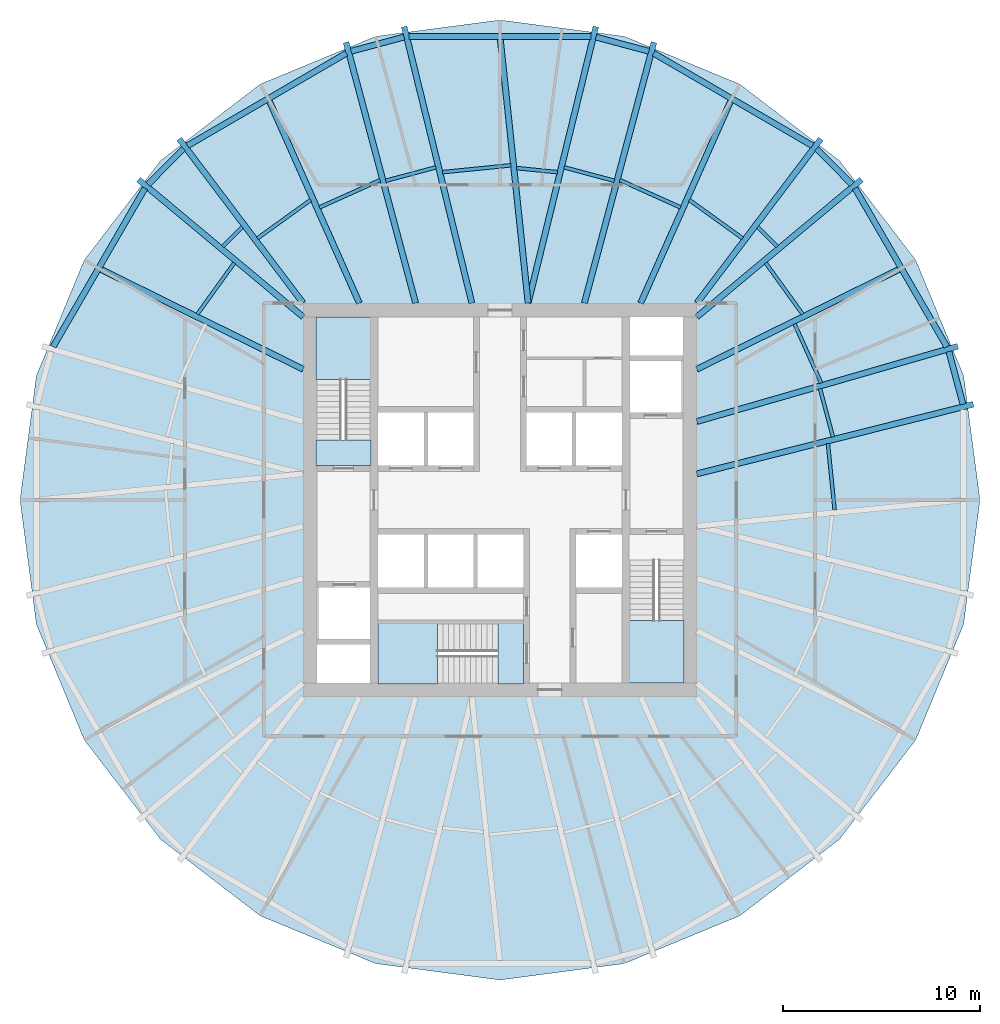
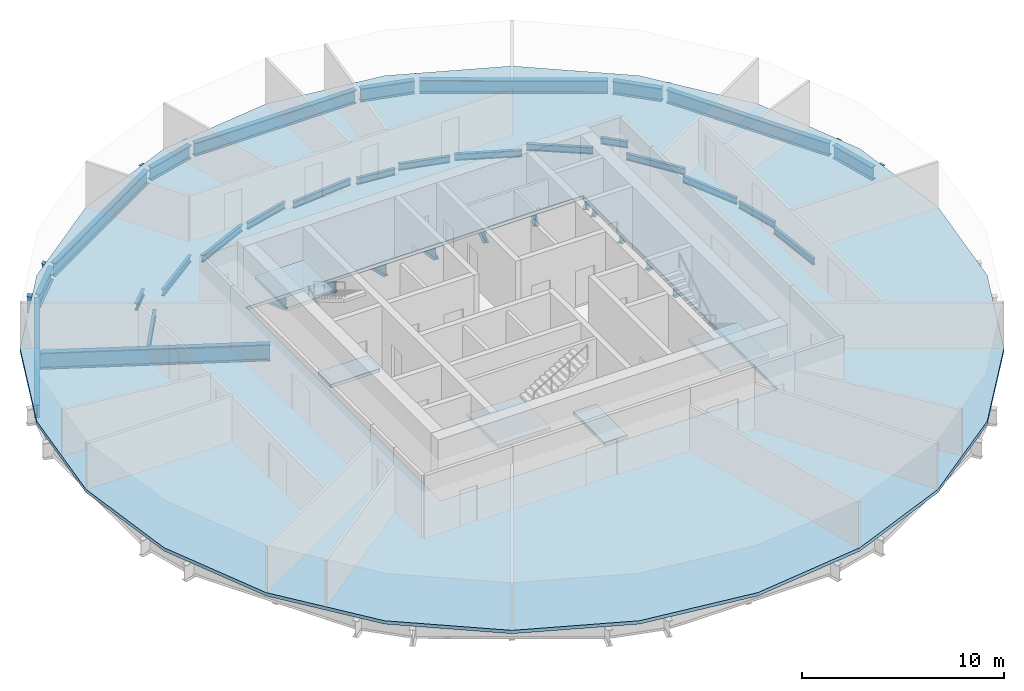
# One storey, part 2 of 6: 40 beams, 6 slabs, 3 elements without a shape of their own.
"""IFC4 building model written with IfcOpenShell, lengths in metres."""

from ifc_helpers import new_model, si_unit, direction, frame, origin, origin_2d, place, context, subcontext, project, spatial, polyline, i_section, outline, extrude, material, layer, layer_set, material_profile, profile_set, type_object, element, aggregate, save


model = new_model("IFC4")

# Units and contexts
model_context = context("Model", 3, precision=1e-05, world=origin(), true_north=direction((0.0, 1.0)))
body_context = subcontext(model_context, "Body", "Model", "MODEL_VIEW")
ifc_project = project(units=[si_unit("LENGTHUNIT", "METRE"), si_unit("AREAUNIT", "SQUARE_METRE"), si_unit("VOLUMEUNIT", "CUBIC_METRE"), si_unit("PLANEANGLEUNIT", "RADIAN"), si_unit("MASSUNIT", "GRAM", prefix="KILO")], contexts=[model_context])

# Site, building, storey
site_placement = place(None, origin())
site = spatial("IfcSite", under=ifc_project, at=site_placement, CompositionType="ELEMENT")
building_placement = place(site_placement, origin())
building = spatial("IfcBuilding", under=site, at=building_placement, Name="Golbaran Civic Tower", CompositionType="ELEMENT")
storey_placement = place(building_placement, frame((0.0, 0.0, 98.0)))
storey = spatial("IfcBuildingStorey", under=building, at=storey_placement, Name="L23", CompositionType="ELEMENT", Elevation=98.0)

# Beams
ifc_material_1 = material(Name="Steel S355", Category="steel")
ifc_material_profile_1 = material_profile(ifc_material_1, i_section(OverallWidth=0.300048828125, OverallDepth=0.800048828125, WebThickness=0.017578125, FlangeThickness=0.032958984375, FilletRadius=0.030029296875, at=origin_2d()), Name="HEB 800")
ifc_profile_set_1 = profile_set([ifc_material_profile_1], Name="Steel S355")
beam_type_1 = type_object("IfcBeamType", Name="EDGE BEAM HEB 800", PredefinedType="BEAM", material=ifc_profile_set_1)
beam_1_placement = place(storey_placement, frame((23.51611328125, 4.864501953125, -0.60009765625), z_axis=(-0.258775722197, 0.965937433585, 0.0), x_axis=(-0.965937433585, -0.258775722197, 0.0)))
element("IfcBeam", 1, at=beam_1_placement, inside=storey, type_object=beam_type_1, Name="Edge beam 11.51 L23", PredefinedType="BEAM", context=body_context, shape_type="SweptSolid", body=[
    extrude(i_section(OverallWidth=0.300048828125, OverallDepth=0.800048828125, WebThickness=0.017578125, FlangeThickness=0.032958984375, FilletRadius=0.030029296875, at=origin_2d()), origin(), (0.0, 0.0, 1.0), 2.77099609375),
])
beam_2_placement = place(storey_placement, frame((22.6982421875, 7.782470703125, -0.60009765625), z_axis=(-0.501480043185, 0.865169212517, 0.0), x_axis=(-0.865169212517, -0.501480043185, 0.0)))
element("IfcBeam", 2, at=beam_2_placement, inside=storey, type_object=beam_type_1, Name="Edge beam 18.49 L23", PredefinedType="BEAM", context=body_context, shape_type="SweptSolid", body=[
    extrude(i_section(OverallWidth=0.300048828125, OverallDepth=0.800048828125, WebThickness=0.017578125, FlangeThickness=0.032958984375, FilletRadius=0.030029296875, at=origin_2d()), origin(), (0.0, 0.0, 1.0), 9.302001953125),
])
beam_3_placement = place(storey_placement, frame((17.875, 16.036865234375, -0.60009765625), z_axis=(-0.706290067305, 0.707922552845, 0.0), x_axis=(-0.707922552845, -0.706290067305, 0.0)))
element("IfcBeam", 3, at=beam_3_placement, inside=storey, type_object=beam_type_1, Name="Edge beam 41.51 L23", PredefinedType="BEAM", context=body_context, shape_type="SweptSolid", body=[
    extrude(i_section(OverallWidth=0.300048828125, OverallDepth=0.800048828125, WebThickness=0.017578125, FlangeThickness=0.032958984375, FilletRadius=0.030029296875, at=origin_2d()), origin(), (0.0, 0.0, 1.0), 2.54248046875),
])
beam_4_placement = place(storey_placement, frame((15.87353515625, 17.995361328125, -0.60009765625), z_axis=(-0.864324773313, 0.502934077427, 0.0), x_axis=(-0.502934077427, -0.864324773313, 0.0)))
element("IfcBeam", 4, at=beam_4_placement, inside=storey, type_object=beam_type_1, Name="Edge beam 48.49 L23", PredefinedType="BEAM", context=body_context, shape_type="SweptSolid", body=[
    extrude(i_section(OverallWidth=0.300048828125, OverallDepth=0.800048828125, WebThickness=0.017578125, FlangeThickness=0.032958984375, FilletRadius=0.030029296875, at=origin_2d()), origin(), (0.0, 0.0, 1.0), 9.3349609375),
])
beam_5_placement = place(storey_placement, frame((7.563232421875, 22.791748046875, -0.60009765625), z_axis=(-0.965791478582, 0.259319918052, 0.0), x_axis=(-0.259319918052, -0.965791478582, 0.0)))
element("IfcBeam", 5, at=beam_5_placement, inside=storey, type_object=beam_type_1, Name="Edge beam 71.51 L23", PredefinedType="BEAM", context=body_context, shape_type="SweptSolid", body=[
    extrude(i_section(OverallWidth=0.300048828125, OverallDepth=0.800048828125, WebThickness=0.017578125, FlangeThickness=0.032958984375, FilletRadius=0.030029296875, at=origin_2d()), origin(), (0.0, 0.0, 1.0), 2.78662109375),
])
beam_6_placement = place(storey_placement, frame((4.612548828125, 23.548095703125, -0.60009765625), z_axis=(-1.0, 0.0, 0.0), x_axis=(0.0, -1.0, 0.0)))
element("IfcBeam", 6, at=beam_6_placement, inside=storey, type_object=beam_type_1, Name="Edge beam 78.49 L23", PredefinedType="BEAM", context=body_context, shape_type="SweptSolid", body=[
    extrude(i_section(OverallWidth=0.300048828125, OverallDepth=0.800048828125, WebThickness=0.017578125, FlangeThickness=0.032958984375, FilletRadius=0.030029296875, at=origin_2d()), origin(), (0.0, 0.0, 1.0), 9.22509765625),
])
beam_7_placement = place(storey_placement, frame((-4.871826171875, 23.514404296875, -0.60009765625), z_axis=(-0.965791478582, -0.259319918052, 0.0), x_axis=(0.259319918052, -0.965791478582, 0.0)))
element("IfcBeam", 7, at=beam_7_placement, inside=storey, type_object=beam_type_1, Name="Edge beam 101.51 L23", PredefinedType="BEAM", context=body_context, shape_type="SweptSolid", body=[
    extrude(i_section(OverallWidth=0.300048828125, OverallDepth=0.800048828125, WebThickness=0.017578125, FlangeThickness=0.032958984375, FilletRadius=0.030029296875, at=origin_2d()), origin(), (0.0, 0.0, 1.0), 2.78662109375),
])
beam_8_placement = place(storey_placement, frame((-7.80517578125, 22.690185546875, -0.60009765625), z_axis=(-0.864324773313, -0.502934077427, 0.0), x_axis=(0.502934077427, -0.864324773313, 0.0)))
element("IfcBeam", 8, at=beam_8_placement, inside=storey, type_object=beam_type_1, Name="Edge beam 108.49 L23", PredefinedType="BEAM", context=body_context, shape_type="SweptSolid", body=[
    extrude(i_section(OverallWidth=0.300048828125, OverallDepth=0.800048828125, WebThickness=0.017578125, FlangeThickness=0.032958984375, FilletRadius=0.030029296875, at=origin_2d()), origin(), (0.0, 0.0, 1.0), 9.3349609375),
])
beam_9_placement = place(storey_placement, frame((-16.079345703125, 17.836669921875, -0.60009765625), z_axis=(-0.706290067305, -0.707922552845, 0.0), x_axis=(0.707922552845, -0.706290067305, 0.0)))
element("IfcBeam", 9, at=beam_9_placement, inside=storey, type_object=beam_type_1, Name="Edge beam 131.51 L23", PredefinedType="BEAM", context=body_context, shape_type="SweptSolid", body=[
    extrude(i_section(OverallWidth=0.300048828125, OverallDepth=0.800048828125, WebThickness=0.017578125, FlangeThickness=0.032958984375, FilletRadius=0.030029296875, at=origin_2d()), origin(), (0.0, 0.0, 1.0), 2.54248046875),
])
beam_10_placement = place(storey_placement, frame((-18.033447265625, 15.830322265625, -0.60009765625), z_axis=(-0.501480043185, -0.865169212517, 0.0), x_axis=(0.865169212517, -0.501480043185, 0.0)))
element("IfcBeam", 10, at=beam_10_placement, inside=storey, type_object=beam_type_1, Name="Edge beam 138.49 L23", PredefinedType="BEAM", context=body_context, shape_type="SweptSolid", body=[
    extrude(i_section(OverallWidth=0.300048828125, OverallDepth=0.800048828125, WebThickness=0.017578125, FlangeThickness=0.032958984375, FilletRadius=0.030029296875, at=origin_2d()), origin(), (0.0, 0.0, 1.0), 9.302001953125),
])
ifc_material_profile_2 = material_profile(ifc_material_1, i_section(OverallWidth=0.179931640625, OverallDepth=0.39990234375, WebThickness=0.008544921875, FlangeThickness=0.013427734375, FilletRadius=0.02099609375, at=origin_2d()), Name="IPE 400")
ifc_profile_set_2 = profile_set([ifc_material_profile_2], Name="Steel S355")
beam_type_2 = type_object("IfcBeamType", Name="FLOOR INFILL BEAM IPE 400", PredefinedType="BEAM", material=ifc_profile_set_2)
beam_11_placement = place(storey_placement, frame((16.99658203125, -0.511962890625, -0.39990234375), z_axis=(-0.100200643623, 0.994967251229, 0.0), x_axis=(-0.994967251229, -0.100200643623, 0.0)))
element("IfcBeam", 11, at=beam_11_placement, inside=storey, type_object=beam_type_2, Name="Infill beam 5.75 L23", PredefinedType="BEAM", context=body_context, shape_type="SweptSolid", body=[
    extrude(i_section(OverallWidth=0.179931640625, OverallDepth=0.39990234375, WebThickness=0.008544921875, FlangeThickness=0.013427734375, FilletRadius=0.02099609375, at=origin_2d()), origin(), (0.0, 0.0, 1.0), 3.39892578125),
])
beam_12_placement = place(storey_placement, frame((16.910888671875, 3.2021484375, -0.39990234375), z_axis=(-0.258841858972, 0.965919713042, 0.0), x_axis=(-0.965919713042, -0.258841858972, 0.0)))
element("IfcBeam", 12, at=beam_12_placement, inside=storey, type_object=beam_type_2, Name="Infill beam 15.00 L23", PredefinedType="BEAM", context=body_context, shape_type="SweptSolid", body=[
    extrude(i_section(OverallWidth=0.179931640625, OverallDepth=0.39990234375, WebThickness=0.008544921875, FlangeThickness=0.013427734375, FilletRadius=0.02099609375, at=origin_2d()), origin(), (0.0, 0.0, 1.0), 2.5380859375),
])
beam_13_placement = place(storey_placement, frame((16.314697265625, 5.94189453125, -0.39990234375), z_axis=(-0.410669576854, 0.911784239087, 0.0), x_axis=(-0.911784239087, -0.410669576854, 0.0)))
element("IfcBeam", 13, at=beam_13_placement, inside=storey, type_object=beam_type_2, Name="Infill beam 24.25 L23", PredefinedType="BEAM", context=body_context, shape_type="SweptSolid", body=[
    extrude(i_section(OverallWidth=0.179931640625, OverallDepth=0.39990234375, WebThickness=0.008544921875, FlangeThickness=0.013427734375, FilletRadius=0.02099609375, at=origin_2d()), origin(), (0.0, 0.0, 1.0), 3.2958984375),
])
beam_14_placement = place(storey_placement, frame((15.370361328125, 9.43896484375, -0.39990234375), z_axis=(-0.58429070547, 0.811544435938, 0.0), x_axis=(-0.811544435938, -0.58429070547, 0.0)))
element("IfcBeam", 14, at=beam_14_placement, inside=storey, type_object=beam_type_2, Name="Infill beam 35.75 L23", PredefinedType="BEAM", context=body_context, shape_type="SweptSolid", body=[
    extrude(i_section(OverallWidth=0.179931640625, OverallDepth=0.39990234375, WebThickness=0.008544921875, FlangeThickness=0.013427734375, FilletRadius=0.02099609375, at=origin_2d()), origin(), (0.0, 0.0, 1.0), 3.211181640625),
])
beam_15_placement = place(storey_placement, frame((14.082763671875, 12.874267578125, -0.39990234375), z_axis=(-0.707106781187, 0.707106781187, 0.0), x_axis=(-0.707106781187, -0.707106781187, 0.0)))
element("IfcBeam", 15, at=beam_15_placement, inside=storey, type_object=beam_type_2, Name="Infill beam 45.00 L23", PredefinedType="BEAM", context=body_context, shape_type="SweptSolid", body=[
    extrude(i_section(OverallWidth=0.179931640625, OverallDepth=0.39990234375, WebThickness=0.008544921875, FlangeThickness=0.013427734375, FilletRadius=0.02099609375, at=origin_2d()), origin(), (0.0, 0.0, 1.0), 1.41015625),
])
beam_16_placement = place(storey_placement, frame((12.321533203125, 13.290771484375, -0.39990234375), z_axis=(-0.811553802951, 0.584277695035, 0.0), x_axis=(-0.584277695035, -0.811553802951, 0.0)))
element("IfcBeam", 16, at=beam_16_placement, inside=storey, type_object=beam_type_2, Name="Infill beam 54.25 L23", PredefinedType="BEAM", context=body_context, shape_type="SweptSolid", body=[
    extrude(i_section(OverallWidth=0.179931640625, OverallDepth=0.39990234375, WebThickness=0.008544921875, FlangeThickness=0.013427734375, FilletRadius=0.02099609375, at=origin_2d()), origin(), (0.0, 0.0, 1.0), 3.3310546875),
])
beam_17_placement = place(storey_placement, frame((9.166748046875, 14.862548828125, -0.39990234375), z_axis=(-0.911755065094, 0.41073434392, 0.0), x_axis=(-0.41073434392, -0.911755065094, 0.0)))
element("IfcBeam", 17, at=beam_17_placement, inside=storey, type_object=beam_type_2, Name="Infill beam 65.75 L23", PredefinedType="BEAM", context=body_context, shape_type="SweptSolid", body=[
    extrude(i_section(OverallWidth=0.179931640625, OverallDepth=0.39990234375, WebThickness=0.008544921875, FlangeThickness=0.013427734375, FilletRadius=0.02099609375, at=origin_2d()), origin(), (0.0, 0.0, 1.0), 3.37744140625),
])
beam_18_placement = place(storey_placement, frame((5.808349609375, 16.212158203125, -0.39990234375), z_axis=(-0.965931172976, 0.258799090172, 0.0), x_axis=(-0.258799090172, -0.965931172976, 0.0)))
element("IfcBeam", 18, at=beam_18_placement, inside=storey, type_object=beam_type_2, Name="Infill beam 75.00 L23", PredefinedType="BEAM", context=body_context, shape_type="SweptSolid", body=[
    extrude(i_section(OverallWidth=0.179931640625, OverallDepth=0.39990234375, WebThickness=0.008544921875, FlangeThickness=0.013427734375, FilletRadius=0.02099609375, at=origin_2d()), origin(), (0.0, 0.0, 1.0), 2.64697265625),
])
beam_19_placement = place(storey_placement, frame((2.923095703125, 16.64990234375, -0.39990234375), z_axis=(-0.994966650619, 0.100206607344, 0.0), x_axis=(-0.100206607344, -0.994966650619, 0.0)))
element("IfcBeam", 19, at=beam_19_placement, inside=storey, type_object=beam_type_2, Name="Infill beam 84.25 L23", PredefinedType="BEAM", context=body_context, shape_type="SweptSolid", body=[
    extrude(i_section(OverallWidth=0.179931640625, OverallDepth=0.39990234375, WebThickness=0.008544921875, FlangeThickness=0.013427734375, FilletRadius=0.02099609375, at=origin_2d()), origin(), (0.0, 0.0, 1.0), 2.09765625),
])
beam_20_placement = place(storey_placement, frame((0.5595703125, 17.000732421875, -0.39990234375), z_axis=(-0.99496441504, -0.100228802272, 0.0), x_axis=(0.100228802272, -0.99496441504, 0.0)))
element("IfcBeam", 20, at=beam_20_placement, inside=storey, type_object=beam_type_2, Name="Infill beam 95.75 L23", PredefinedType="BEAM", context=body_context, shape_type="SweptSolid", body=[
    extrude(i_section(OverallWidth=0.179931640625, OverallDepth=0.39990234375, WebThickness=0.008544921875, FlangeThickness=0.013427734375, FilletRadius=0.02099609375, at=origin_2d()), origin(), (0.0, 0.0, 1.0), 3.500244140625),
])
beam_21_placement = place(storey_placement, frame((-3.25146484375, 16.897216796875, -0.39990234375), z_axis=(-0.965931172976, -0.258799090172, 0.0), x_axis=(0.258799090172, -0.965931172976, 0.0)))
element("IfcBeam", 21, at=beam_21_placement, inside=storey, type_object=beam_type_2, Name="Infill beam 105.00 L23", PredefinedType="BEAM", context=body_context, shape_type="SweptSolid", body=[
    extrude(i_section(OverallWidth=0.179931640625, OverallDepth=0.39990234375, WebThickness=0.008544921875, FlangeThickness=0.013427734375, FilletRadius=0.02099609375, at=origin_2d()), origin(), (0.0, 0.0, 1.0), 2.64697265625),
])
beam_22_placement = place(storey_placement, frame((-6.08740234375, 16.249755859375, -0.39990234375), z_axis=(-0.911755065094, -0.41073434392, 0.0), x_axis=(0.41073434392, -0.911755065094, 0.0)))
element("IfcBeam", 22, at=beam_22_placement, inside=storey, type_object=beam_type_2, Name="Infill beam 114.25 L23", PredefinedType="BEAM", context=body_context, shape_type="SweptSolid", body=[
    extrude(i_section(OverallWidth=0.179931640625, OverallDepth=0.39990234375, WebThickness=0.008544921875, FlangeThickness=0.013427734375, FilletRadius=0.02099609375, at=origin_2d()), origin(), (0.0, 0.0, 1.0), 3.37744140625),
])
beam_23_placement = place(storey_placement, frame((-9.6181640625, 15.237060546875, -0.39990234375), z_axis=(-0.811553802951, -0.584277695035, 0.0), x_axis=(0.584277695035, -0.811553802951, 0.0)))
element("IfcBeam", 23, at=beam_23_placement, inside=storey, type_object=beam_type_2, Name="Infill beam 125.75 L23", PredefinedType="BEAM", context=body_context, shape_type="SweptSolid", body=[
    extrude(i_section(OverallWidth=0.179931640625, OverallDepth=0.39990234375, WebThickness=0.008544921875, FlangeThickness=0.013427734375, FilletRadius=0.02099609375, at=origin_2d()), origin(), (0.0, 0.0, 1.0), 3.3310546875),
])
beam_24_placement = place(storey_placement, frame((-13.085693359375, 13.871337890625, -0.39990234375), z_axis=(-0.707106781187, -0.707106781187, 0.0), x_axis=(0.707106781187, -0.707106781187, 0.0)))
element("IfcBeam", 24, at=beam_24_placement, inside=storey, type_object=beam_type_2, Name="Infill beam 135.00 L23", PredefinedType="BEAM", context=body_context, shape_type="SweptSolid", body=[
    extrude(i_section(OverallWidth=0.179931640625, OverallDepth=0.39990234375, WebThickness=0.008544921875, FlangeThickness=0.013427734375, FilletRadius=0.02099609375, at=origin_2d()), origin(), (0.0, 0.0, 1.0), 1.41015625),
])
beam_25_placement = place(storey_placement, frame((-13.494140625, 12.044921875, -0.39990234375), z_axis=(-0.58429070547, -0.811544435938, 0.0), x_axis=(0.811544435938, -0.58429070547, 0.0)))
element("IfcBeam", 25, at=beam_25_placement, inside=storey, type_object=beam_type_2, Name="Infill beam 144.25 L23", PredefinedType="BEAM", context=body_context, shape_type="SweptSolid", body=[
    extrude(i_section(OverallWidth=0.179931640625, OverallDepth=0.39990234375, WebThickness=0.008544921875, FlangeThickness=0.013427734375, FilletRadius=0.02099609375, at=origin_2d()), origin(), (0.0, 0.0, 1.0), 3.211181640625),
])
ifc_material_profile_3 = material_profile(ifc_material_1, i_section(OverallWidth=0.300048828125, OverallDepth=1.0, WebThickness=0.01904296875, FlangeThickness=0.035888671875, FilletRadius=0.030029296875, at=origin_2d()), Name="HEB 1000")
ifc_profile_set_3 = profile_set([ifc_material_profile_3], Name="Steel S355")
beam_type_3 = type_object("IfcBeamType", Name="RADIAL FLOOR BEAM HEB 1000", PredefinedType="BEAM", material=ifc_profile_set_3)
beam_26_placement = place(storey_placement, frame((10.0, 1.32861328125, -0.7099609375), z_axis=(0.96975249602, 0.244090344878, 0.0), x_axis=(-0.244090344878, 0.96975249602, 0.0)))
element("IfcBeam", 26, at=beam_26_placement, inside=storey, type_object=beam_type_3, Name="Radial beam 11.51 L23", PredefinedType="BEAM", context=body_context, shape_type="SweptSolid", body=[
    extrude(i_section(OverallWidth=0.300048828125, OverallDepth=1.0, WebThickness=0.01904296875, FlangeThickness=0.035888671875, FilletRadius=0.030029296875, at=origin_2d()), origin(), (0.0, 0.0, 1.0), 14.48095703125),
])
beam_27_placement = place(storey_placement, frame((10.0, 3.985595703125, -0.7099609375), z_axis=(0.960849871715, 0.277069529226, 0.0), x_axis=(-0.277069529226, 0.960849871715, 0.0)))
element("IfcBeam", 27, at=beam_27_placement, inside=storey, type_object=beam_type_3, Name="Radial beam 18.49 L23", PredefinedType="BEAM", context=body_context, shape_type="SweptSolid", body=[
    extrude(i_section(OverallWidth=0.300048828125, OverallDepth=1.0, WebThickness=0.01904296875, FlangeThickness=0.035888671875, FilletRadius=0.030029296875, at=origin_2d()), origin(), (0.0, 0.0, 1.0), 13.79443359375),
])
beam_28_placement = place(storey_placement, frame((10.0, 9.300048828125, -0.7099609375), z_axis=(0.767989633432, 0.640462272847, 0.0), x_axis=(-0.640462272847, 0.767989633432, 0.0)))
element("IfcBeam", 28, at=beam_28_placement, inside=storey, type_object=beam_type_3, Name="Radial beam 41.51 L23", PredefinedType="BEAM", context=body_context, shape_type="SweptSolid", body=[
    extrude(i_section(OverallWidth=0.300048828125, OverallDepth=1.0, WebThickness=0.01904296875, FlangeThickness=0.035888671875, FilletRadius=0.030029296875, at=origin_2d()), origin(), (0.0, 0.0, 1.0), 10.88720703125),
])
beam_29_placement = place(storey_placement, frame((10.0, 10.0, -0.7099609375), z_axis=(0.602538007305, 0.798090188985, 0.0), x_axis=(-0.798090188985, 0.602538007305, 0.0)))
element("IfcBeam", 29, at=beam_29_placement, inside=storey, type_object=beam_type_3, Name="Radial beam 48.49 L23", PredefinedType="BEAM", context=body_context, shape_type="SweptSolid", body=[
    extrude(i_section(OverallWidth=0.300048828125, OverallDepth=1.0, WebThickness=0.01904296875, FlangeThickness=0.035888671875, FilletRadius=0.030029296875, at=origin_2d()), origin(), (0.0, 0.0, 1.0), 10.453369140625),
])
beam_30_placement = place(storey_placement, frame((4.28564453125, 10.0, -0.7099609375), z_axis=(0.25773800494, 0.966214841953, 0.0), x_axis=(-0.966214841953, 0.25773800494, 0.0)))
element("IfcBeam", 30, at=beam_30_placement, inside=storey, type_object=beam_type_3, Name="Radial beam 71.51 L23", PredefinedType="BEAM", context=body_context, shape_type="SweptSolid", body=[
    extrude(i_section(OverallWidth=0.300048828125, OverallDepth=1.0, WebThickness=0.01904296875, FlangeThickness=0.035888671875, FilletRadius=0.030029296875, at=origin_2d()), origin(), (0.0, 0.0, 1.0), 13.71240234375),
])
for number, where, z_axis, x_axis, name in (
    (31, (1.428466796875, 10.0, -0.7099609375), (0.23786807912, 0.971297470879, 0.0), (-0.971297470879, 0.23786807912, 0.0), "Radial beam 78.49 L23"),
    (32, (-1.428466796875, 10.0, -0.7099609375), (-0.23786807912, 0.971297470879, 0.0), (-0.971297470879, -0.23786807912, 0.0), "Radial beam 101.51 L23"),
):
    element("IfcBeam", number, at=place(storey_placement, frame(where, z_axis=z_axis, x_axis=x_axis)), inside=storey, type_object=beam_type_3, Name=name, PredefinedType="BEAM", context=body_context, shape_type="SweptSolid", body=[
        extrude(i_section(OverallWidth=0.300048828125, OverallDepth=1.0, WebThickness=0.01904296875, FlangeThickness=0.035888671875, FilletRadius=0.030029296875, at=origin_2d()), origin(), (0.0, 0.0, 1.0), 14.45751953125),
    ])
beam_31_placement = place(storey_placement, frame((-4.28564453125, 10.0, -0.7099609375), z_axis=(-0.25773800494, 0.966214841953, 0.0), x_axis=(-0.966214841953, -0.25773800494, 0.0)))
element("IfcBeam", 33, at=beam_31_placement, inside=storey, type_object=beam_type_3, Name="Radial beam 108.49 L23", PredefinedType="BEAM", context=body_context, shape_type="SweptSolid", body=[
    extrude(i_section(OverallWidth=0.300048828125, OverallDepth=1.0, WebThickness=0.01904296875, FlangeThickness=0.035888671875, FilletRadius=0.030029296875, at=origin_2d()), origin(), (0.0, 0.0, 1.0), 13.71240234375),
])
beam_32_placement = place(storey_placement, frame((-10.0, 10.0, -0.7099609375), z_axis=(-0.602538007305, 0.798090188985, 0.0), x_axis=(-0.798090188985, -0.602538007305, 0.0)))
element("IfcBeam", 34, at=beam_32_placement, inside=storey, type_object=beam_type_3, Name="Radial beam 131.51 L23", PredefinedType="BEAM", context=body_context, shape_type="SweptSolid", body=[
    extrude(i_section(OverallWidth=0.300048828125, OverallDepth=1.0, WebThickness=0.01904296875, FlangeThickness=0.035888671875, FilletRadius=0.030029296875, at=origin_2d()), origin(), (0.0, 0.0, 1.0), 10.453369140625),
])
beam_33_placement = place(storey_placement, frame((-10.0, 9.300048828125, -0.7099609375), z_axis=(-0.767989633432, 0.640462272847, 0.0), x_axis=(-0.640462272847, -0.767989633432, 0.0)))
element("IfcBeam", 35, at=beam_33_placement, inside=storey, type_object=beam_type_3, Name="Radial beam 138.49 L23", PredefinedType="BEAM", context=body_context, shape_type="SweptSolid", body=[
    extrude(i_section(OverallWidth=0.300048828125, OverallDepth=1.0, WebThickness=0.01904296875, FlangeThickness=0.035888671875, FilletRadius=0.030029296875, at=origin_2d()), origin(), (0.0, 0.0, 1.0), 10.88720703125),
])
ifc_material_profile_4 = material_profile(ifc_material_1, i_section(OverallWidth=0.300048828125, OverallDepth=1.0, WebThickness=0.01904296875, FlangeThickness=0.035888671875, FilletRadius=0.030029296875, at=origin_2d()), Name="HEB 1000")
ifc_profile_set_4 = profile_set([ifc_material_profile_4], Name="Steel S355")
beam_type_4 = type_object("IfcBeamType", Name="SECONDARY FLOOR BEAM HEB 1000", PredefinedType="BEAM", material=ifc_profile_set_4)
beam_34_placement = place(storey_placement, frame((10.0, 6.642822265625, -0.7099609375), z_axis=(0.896691900412, 0.442655210898, 0.0), x_axis=(-0.442655210898, 0.896691900412, 0.0)))
element("IfcBeam", 36, at=beam_34_placement, inside=storey, type_object=beam_type_4, Name="Secondary beam 30.00 L23", PredefinedType="BEAM", context=body_context, shape_type="SweptSolid", body=[
    extrude(i_section(OverallWidth=0.300048828125, OverallDepth=1.0, WebThickness=0.01904296875, FlangeThickness=0.035888671875, FilletRadius=0.030029296875, at=origin_2d()), origin(), (0.0, 0.0, 1.0), 11.58349609375),
])
beam_35_placement = place(storey_placement, frame((7.142822265625, 10.0, -0.7099609375), z_axis=(0.406935374898, 0.913456950631, 0.0), x_axis=(-0.913456950631, 0.406935374898, 0.0)))
element("IfcBeam", 37, at=beam_35_placement, inside=storey, type_object=beam_type_4, Name="Secondary beam 60.00 L23", PredefinedType="BEAM", context=body_context, shape_type="SweptSolid", body=[
    extrude(i_section(OverallWidth=0.300048828125, OverallDepth=1.0, WebThickness=0.01904296875, FlangeThickness=0.035888671875, FilletRadius=0.030029296875, at=origin_2d()), origin(), (0.0, 0.0, 1.0), 11.367919921875),
])
beam_36_placement = place(storey_placement, frame((1.428466796875, 10.0, -0.7099609375), z_axis=(-0.104855498469, 0.994487468217, 0.0), x_axis=(-0.994487468217, -0.104855498469, 0.0)))
element("IfcBeam", 38, at=beam_36_placement, inside=storey, type_object=beam_type_4, Name="Secondary beam 90.00 L23", PredefinedType="BEAM", context=body_context, shape_type="SweptSolid", body=[
    extrude(i_section(OverallWidth=0.300048828125, OverallDepth=1.0, WebThickness=0.01904296875, FlangeThickness=0.035888671875, FilletRadius=0.030029296875, at=origin_2d()), origin(), (0.0, 0.0, 1.0), 13.623291015625),
])
beam_37_placement = place(storey_placement, frame((-7.142822265625, 10.0, -0.7099609375), z_axis=(-0.406935374898, 0.913456950631, 0.0), x_axis=(-0.913456950631, -0.406935374898, 0.0)))
element("IfcBeam", 39, at=beam_37_placement, inside=storey, type_object=beam_type_4, Name="Secondary beam 120.00 L23", PredefinedType="BEAM", context=body_context, shape_type="SweptSolid", body=[
    extrude(i_section(OverallWidth=0.300048828125, OverallDepth=1.0, WebThickness=0.01904296875, FlangeThickness=0.035888671875, FilletRadius=0.030029296875, at=origin_2d()), origin(), (0.0, 0.0, 1.0), 11.367919921875),
])
beam_38_placement = place(storey_placement, frame((-10.0, 6.642822265625, -0.7099609375), z_axis=(-0.896691900412, 0.442655210898, 0.0), x_axis=(-0.442655210898, -0.896691900412, 0.0)))
element("IfcBeam", 40, at=beam_38_placement, inside=storey, type_object=beam_type_4, Name="Secondary beam 150.00 L23", PredefinedType="BEAM", context=body_context, shape_type="SweptSolid", body=[
    extrude(i_section(OverallWidth=0.300048828125, OverallDepth=1.0, WebThickness=0.01904296875, FlangeThickness=0.035888671875, FilletRadius=0.030029296875, at=origin_2d()), origin(), (0.0, 0.0, 1.0), 11.58349609375),
])

# Slab
ifc_material_2 = material(Name="Concrete LC30/33 lightweight on steel deck", Category="concrete")
ifc_layer_1 = layer(ifc_material_2, 0.199951171875, Name="Concrete LC30/33 lightweight on steel deck")
ifc_layer_set_1 = layer_set([ifc_layer_1], Name="Concrete LC30/33 lightweight on steel deck")
slab_type_1 = type_object("IfcSlabType", Name="COMPOSITE FLOOR SLAB 200", PredefinedType="FLOOR", material=ifc_layer_set_1)
slab_1_placement = place(storey_placement, frame((0.0, 0.0, -0.199951171875)))
element("IfcSlab", 41, at=slab_1_placement, inside=storey, type_object=slab_type_1, Name="Floor slab L23", PredefinedType="FLOOR", context=body_context, shape_type="SweptSolid", body=[
    extrude(outline(polyline([(21.114013671875, -12.190185546875), (17.239501953125, -17.239501953125), (12.190185546875, -21.114013671875), (6.31005859375, -23.549560546875), (0.0, -24.38037109375), (-6.31005859375, -23.549560546875), (-12.190185546875, -21.114013671875), (-17.239501953125, -17.239501953125), (-21.114013671875, -12.190185546875), (-23.549560546875, -6.31005859375), (-24.38037109375, 0.0), (-23.549560546875, 6.31005859375), (-21.114013671875, 12.190185546875), (-17.239501953125, 17.239501953125), (-12.190185546875, 21.114013671875), (-6.31005859375, 23.549560546875), (0.0, 24.38037109375), (6.31005859375, 23.549560546875), (12.190185546875, 21.114013671875), (17.239501953125, 17.239501953125), (21.114013671875, 12.190185546875), (23.549560546875, 6.31005859375), (24.38037109375, 0.0), (23.549560546875, -6.31005859375), (21.114013671875, -12.190185546875)]), holes=[polyline([(-9.64990234375, 9.64990234375), (-9.64990234375, -9.64990234375), (9.64990234375, -9.64990234375), (9.64990234375, 9.64990234375), (-9.64990234375, 9.64990234375)])]), origin(), (0.0, 0.0, 1.0), 0.199951171875),
])

# Stair, slab
ifc_material_3 = material(Name="Concrete C35/45", Category="concrete")
stair_type_1 = type_object("IfcStairType", Name="EXIT STAIR 2700 x 7550, 4000 RISE", PredefinedType="HALF_TURN_STAIR", material=ifc_material_3)
stair_1_placement = place(storey_placement, origin())
stair_1 = element("IfcStair", 42, at=stair_1_placement, inside=storey, type_object=stair_type_1, Name="Stair S1 L23", PredefinedType="HALF_TURN_STAIR")
ifc_layer_2 = layer(ifc_material_3, 0.199951171875, Name="Concrete C35/45")
ifc_layer_set_2 = layer_set([ifc_layer_2], Name="Concrete C35/45")
slab_type_2 = type_object("IfcSlabType", Name="STAIR LANDING 200", PredefinedType="LANDING", material=ifc_layer_set_2)
slab_2_placement = place(storey_placement, frame((0.0, 0.0, 1.800048828125)))
slab_2 = element("IfcSlab", 43, at=slab_2_placement, type_object=slab_type_2, Name="ST27076-40 landing 1", PredefinedType="LANDING", context=body_context, shape_type="SweptSolid", body=[
    extrude(outline(polyline([(-9.35009765625, 6.125), (-9.35009765625, 9.300048828125), (-6.550048828125, 9.300048828125), (-6.550048828125, 6.125), (-9.35009765625, 6.125)])), origin(), (0.0, 0.0, 1.0), 0.199951171875),
])
aggregate(stair_1, [slab_2])

# Slab
slab_3_placement = place(storey_placement, frame((0.0, 0.0, -0.199951171875)))
element("IfcSlab", 44, at=slab_3_placement, inside=storey, type_object=slab_type_2, Name="Stair S1 floor landing L23", PredefinedType="LANDING", context=body_context, shape_type="SweptSolid", body=[
    extrude(outline(polyline([(-9.35009765625, 1.75), (-9.35009765625, 3.054931640625), (-6.550048828125, 3.054931640625), (-6.550048828125, 1.75), (-9.35009765625, 1.75)])), origin(), (0.0, 0.0, 1.0), 0.199951171875),
])

# Stair, slab
stair_2_placement = place(storey_placement, origin())
stair_2 = element("IfcStair", 45, at=stair_2_placement, inside=storey, type_object=stair_type_1, Name="Stair S2 L23", PredefinedType="HALF_TURN_STAIR")
slab_4_placement = place(storey_placement, frame((0.0, 0.0, 1.800048828125)))
slab_4 = element("IfcSlab", 46, at=slab_4_placement, type_object=slab_type_2, Name="ST27076-40 landing 1", PredefinedType="LANDING", context=body_context, shape_type="SweptSolid", body=[
    extrude(outline(polyline([(9.35009765625, -6.125), (9.35009765625, -9.300048828125), (6.550048828125, -9.300048828125), (6.550048828125, -6.125), (9.35009765625, -6.125)])), origin(), (0.0, 0.0, 1.0), 0.199951171875),
])
aggregate(stair_2, [slab_4])

stair_type_2 = type_object("IfcStairType", Name="EXIT STAIR 3000 x 7400, 4000 RISE", PredefinedType="HALF_TURN_STAIR", material=ifc_material_3)
stair_3_placement = place(storey_placement, origin())
stair_3 = element("IfcStair", 47, at=stair_3_placement, inside=storey, type_object=stair_type_2, Name="Stair S3 L23", PredefinedType="HALF_TURN_STAIR")
slab_5_placement = place(storey_placement, frame((0.0, 0.0, 1.800048828125)))
slab_5 = element("IfcSlab", 48, at=slab_5_placement, type_object=slab_type_2, Name="ST30074-40 landing 1", PredefinedType="LANDING", context=body_context, shape_type="SweptSolid", body=[
    extrude(outline(polyline([(-3.175048828125, -9.35009765625), (-6.199951171875, -9.35009765625), (-6.199951171875, -6.25), (-3.175048828125, -6.25), (-3.175048828125, -9.35009765625)])), origin(), (0.0, 0.0, 1.0), 0.199951171875),
])
aggregate(stair_3, [slab_5])

# Slab
slab_6_placement = place(storey_placement, frame((0.0, 0.0, -0.199951171875)))
element("IfcSlab", 49, at=slab_6_placement, inside=storey, type_object=slab_type_2, Name="Stair S3 floor landing L23", PredefinedType="LANDING", context=body_context, shape_type="SweptSolid", body=[
    extrude(outline(polyline([(1.199951171875, -9.35009765625), (-0.10498046875, -9.35009765625), (-0.10498046875, -6.25), (1.199951171875, -6.25), (1.199951171875, -9.35009765625)])), origin(), (0.0, 0.0, 1.0), 0.199951171875),
])

save(model, "model.ifc")
